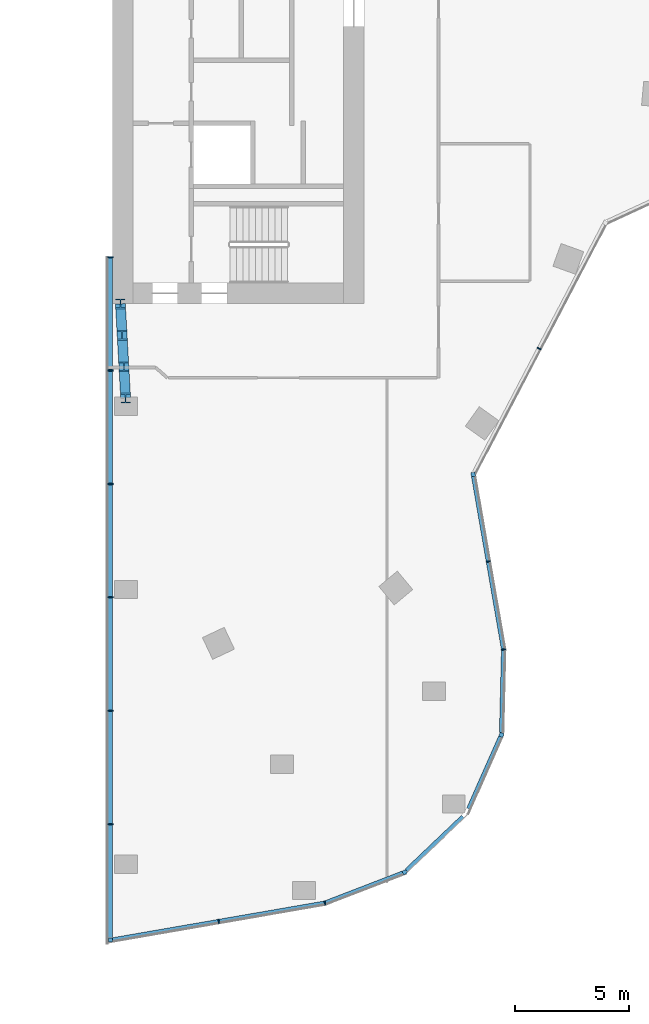
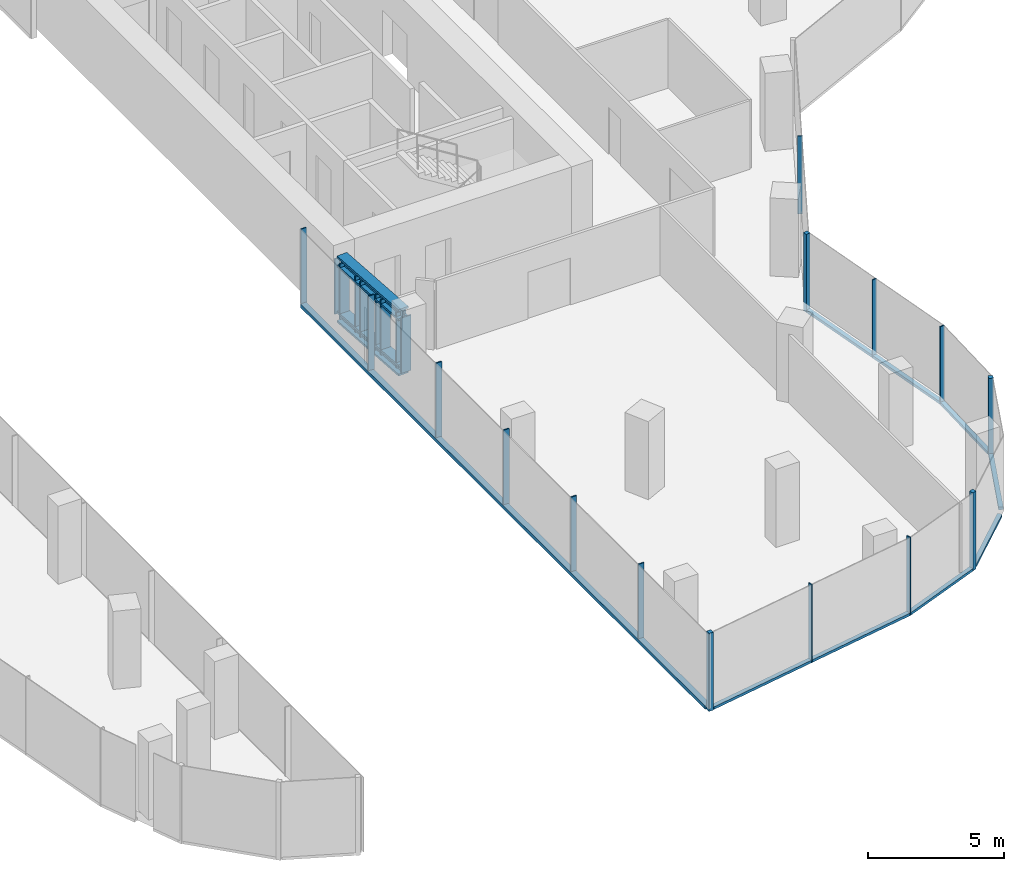
# One storey, part 3 of 23: 28 members, 8 elements without a shape of their own.
"""IFC4 building model written with IfcOpenShell, lengths in metres."""

from ifc_helpers import new_model, si_unit, direction, frame, origin, origin_2d, place, context, subcontext, project, spatial, rectangle, i_section, extrude, material, material_profile, profile_set, type_object, element, aggregate, save


model = new_model("IFC4")

# Units and contexts
model_context = context("Model", 3, precision=1e-05, world=origin(), true_north=direction((0.0, 1.0)))
body_context = subcontext(model_context, "Body", "Model", "MODEL_VIEW")
ifc_project = project(units=[si_unit("LENGTHUNIT", "METRE"), si_unit("AREAUNIT", "SQUARE_METRE"), si_unit("VOLUMEUNIT", "CUBIC_METRE"), si_unit("PLANEANGLEUNIT", "RADIAN"), si_unit("MASSUNIT", "GRAM", prefix="KILO")], contexts=[model_context])

# Site, building, storey
site_placement = place(None, origin())
site = spatial("IfcSite", under=ifc_project, at=site_placement, CompositionType="ELEMENT")
building_placement = place(site_placement, origin())
building = spatial("IfcBuilding", under=site, at=building_placement, Name="Orlundy Tower", CompositionType="ELEMENT")
storey_placement = place(building_placement, frame((0.0, 0.0, 264.0)))
storey = spatial("IfcBuildingStorey", under=building, at=storey_placement, Name="L70", CompositionType="ELEMENT", Elevation=264.0)

# Curtain wall, member
ifc_material_1 = material(Name="Aluminium bronze anodised", Category="aluminium")
curtain_wall_type = type_object("IfcCurtainWallType", Name="CW1 wall", PredefinedType="NOTDEFINED", material=ifc_material_1)
curtain_wall_1_placement = place(storey_placement, origin())
curtain_wall_1 = element("IfcCurtainWall", 1, at=curtain_wall_1_placement, inside=storey, type_object=curtain_wall_type, Name="CW1 run 112", PredefinedType="NOTDEFINED")
ifc_material_2 = material(Name="Aluminium bronze anodised", Category="aluminium")
ifc_material_profile_1 = material_profile(ifc_material_2, rectangle(XDim=0.179931640625, YDim=0.179931640625, at=origin_2d()), Name="CW1 corner post 180x180")
ifc_profile_set_1 = profile_set([ifc_material_profile_1], Name="Aluminium bronze anodised")
member_type_1 = type_object("IfcMemberType", Name="CW1 corner post 180x180", PredefinedType="MULLION", material=ifc_profile_set_1)
member_1_placement = place(storey_placement, frame((23.764892578125, -19.4736328125, -0.39990234375), z_axis=(0.0, 0.0, 1.0), x_axis=(0.985318106887, 0.170728522047, 0.0)))
member_1 = element("IfcMember", 2, at=member_1_placement, type_object=member_type_1, Name="CW1 mullion 18", PredefinedType="MULLION", context=body_context, shape_type="SweptSolid", body=[
    extrude(rectangle(XDim=0.179931640625, YDim=0.179931640625, at=origin_2d()), origin(), (0.0, 0.0, 1.0), 3.5),
])

curtain_wall_2_placement = place(storey_placement, origin())
curtain_wall_2 = element("IfcCurtainWall", 3, at=curtain_wall_2_placement, inside=storey, type_object=curtain_wall_type, Name="CW1 run 114", PredefinedType="NOTDEFINED")
member_2_placement = place(storey_placement, frame((24.99853515625, -30.85400390625, -0.39990234375), z_axis=(0.0, 0.0, 1.0), x_axis=(0.914133830763, -0.405412554633, 0.0)))
member_2 = element("IfcMember", 4, at=member_2_placement, type_object=member_type_1, Name="CW1 mullion 21", PredefinedType="MULLION", context=body_context, shape_type="SweptSolid", body=[
    extrude(rectangle(XDim=0.179931640625, YDim=0.179931640625, at=origin_2d()), origin(), (0.0, 0.0, 1.0), 3.5),
])

curtain_wall_3_placement = place(storey_placement, origin())
curtain_wall_3 = element("IfcCurtainWall", 5, at=curtain_wall_3_placement, inside=storey, type_object=curtain_wall_type, Name="CW1 run 116", PredefinedType="NOTDEFINED")
member_3_placement = place(storey_placement, frame((20.77001953125, -36.85546875, -0.39990234375), z_axis=(0.0, 0.0, 1.0), x_axis=(0.359828461467, -0.933018476944, 0.0)))
member_3 = element("IfcMember", 6, at=member_3_placement, type_object=member_type_1, Name="CW1 mullion 23", PredefinedType="MULLION", context=body_context, shape_type="SweptSolid", body=[
    extrude(rectangle(XDim=0.179931640625, YDim=0.179931640625, at=origin_2d()), origin(), (0.0, 0.0, 1.0), 3.5),
])

curtain_wall_4_placement = place(storey_placement, origin())
curtain_wall_4 = element("IfcCurtainWall", 7, at=curtain_wall_4_placement, inside=storey, type_object=curtain_wall_type, Name="CW1 run 118", PredefinedType="NOTDEFINED")
member_4_placement = place(storey_placement, frame((7.909912109375, -39.823974609375, -0.39990234375), z_axis=(0.0, 0.0, 1.0), x_axis=(-1.0, 0.0, 0.0)))
member_4 = element("IfcMember", 8, at=member_4_placement, type_object=member_type_1, Name="CW1 mullion 26", PredefinedType="MULLION", context=body_context, shape_type="SweptSolid", body=[
    extrude(rectangle(XDim=0.179931640625, YDim=0.179931640625, at=origin_2d()), origin(), (0.0, 0.0, 1.0), 3.5),
])

curtain_wall_5_placement = place(storey_placement, origin())
curtain_wall_5 = element("IfcCurtainWall", 9, at=curtain_wall_5_placement, inside=storey, type_object=curtain_wall_type, Name="CW1 run 111", PredefinedType="NOTDEFINED")
ifc_material_3 = material(Name="Aluminium bronze anodised", Category="aluminium")
ifc_material_profile_2 = material_profile(ifc_material_3, rectangle(XDim=0.179931640625, YDim=0.050048828125, at=origin_2d()), Name="CW1 mullion 50x180")
ifc_profile_set_2 = profile_set([ifc_material_profile_2], Name="Aluminium bronze anodised")
member_type_2 = type_object("IfcMemberType", Name="CW1 mullion 50x180", PredefinedType="MULLION", material=ifc_profile_set_2)
member_5_placement = place(storey_placement, frame((26.649658203125, -13.97119140625, -0.39990234375), z_axis=(0.0, 0.0, 1.0), x_axis=(0.885660617608, -0.464333145939, 0.0)))
member_5 = element("IfcMember", 10, at=member_5_placement, type_object=member_type_2, Name="CW1 mullion 17", PredefinedType="MULLION", context=body_context, shape_type="SweptSolid", body=[
    extrude(rectangle(XDim=0.179931640625, YDim=0.050048828125, at=origin_2d()), origin(), (0.0, 0.0, 1.0), 3.5),
])
aggregate(curtain_wall_5, [member_5])

# Member
member_6_placement = place(storey_placement, frame((24.424072265625, -23.278564453125, -0.39990234375), z_axis=(0.0, 0.0, 1.0), x_axis=(0.985318106887, 0.170728522047, 0.0)))
member_6 = element("IfcMember", 11, at=member_6_placement, type_object=member_type_2, Name="CW1 mullion 19", PredefinedType="MULLION", context=body_context, shape_type="SweptSolid", body=[
    extrude(rectangle(XDim=0.179931640625, YDim=0.050048828125, at=origin_2d()), origin(), (0.0, 0.0, 1.0), 3.5),
])

# Curtain wall, member
curtain_wall_6_placement = place(storey_placement, origin())
curtain_wall_6 = element("IfcCurtainWall", 12, at=curtain_wall_6_placement, inside=storey, type_object=curtain_wall_type, Name="CW1 run 113", PredefinedType="NOTDEFINED")
member_7_placement = place(storey_placement, frame((25.090087890625, -27.122314453125, -0.39990234375), z_axis=(0.0, 0.0, 1.0), x_axis=(0.9972996306, 0.073440089904, 0.0)))
member_7 = element("IfcMember", 13, at=member_7_placement, type_object=member_type_2, Name="CW1 mullion 20", PredefinedType="MULLION", context=body_context, shape_type="SweptSolid", body=[
    extrude(rectangle(XDim=0.179931640625, YDim=0.050048828125, at=origin_2d()), origin(), (0.0, 0.0, 1.0), 3.5),
])

# Curtain wall, members
curtain_wall_7_placement = place(storey_placement, origin())
curtain_wall_7 = element("IfcCurtainWall", 14, at=curtain_wall_7_placement, inside=storey, type_object=curtain_wall_type, Name="CW1 run 117", PredefinedType="NOTDEFINED")
member_8_placement = place(storey_placement, frame((17.2861328125, -38.19921875, -0.39990234375), z_axis=(0.0, 0.0, 1.0), x_axis=(0.266571821277, -0.963815057001, 0.0)))
member_8 = element("IfcMember", 15, at=member_8_placement, type_object=member_type_2, Name="CW1 mullion 24", PredefinedType="MULLION", context=body_context, shape_type="SweptSolid", body=[
    extrude(rectangle(XDim=0.179931640625, YDim=0.050048828125, at=origin_2d()), origin(), (0.0, 0.0, 1.0), 3.5),
])
member_9_placement = place(storey_placement, frame((12.646484375, -39.003173828125, -0.39990234375), z_axis=(0.0, 0.0, 1.0), x_axis=(0.170744034483, -0.985315418883, 0.0)))
member_9 = element("IfcMember", 16, at=member_9_placement, type_object=member_type_2, Name="CW1 mullion 25", PredefinedType="MULLION", context=body_context, shape_type="SweptSolid", body=[
    extrude(rectangle(XDim=0.179931640625, YDim=0.050048828125, at=origin_2d()), origin(), (0.0, 0.0, 1.0), 3.5),
])

# Member
ifc_material_4 = material(Name="Aluminium bronze anodised", Category="aluminium")
ifc_material_profile_3 = material_profile(ifc_material_4, rectangle(XDim=0.179931640625, YDim=0.1201171875, at=origin_2d()), Name="CW1 transom 180x120")
ifc_profile_set_3 = profile_set([ifc_material_profile_3], Name="Aluminium bronze anodised")
member_type_3 = type_object("IfcMemberType", Name="CW1 transom 180x120", PredefinedType="USERDEFINED", material=ifc_profile_set_3)
member_10_placement = place(storey_placement, frame((23.7802734375, -19.5625, -0.340087890625), z_axis=(0.170732175042, -0.985317473917, 0.0), x_axis=(0.985317473917, 0.170732175042, 0.0)))
member_10 = element("IfcMember", 17, at=member_10_placement, type_object=member_type_3, Name="CW1 transom", ObjectType="TRANSOM", PredefinedType="USERDEFINED", context=body_context, shape_type="SweptSolid", body=[
    extrude(rectangle(XDim=0.179931640625, YDim=0.1201171875, at=origin_2d()), origin(), (0.0, 0.0, 1.0), 7.6474609375),
])

aggregate(curtain_wall_1, [member_1, member_6, member_10])

member_11_placement = place(storey_placement, frame((25.089599609375, -27.1474609375, -0.340087890625), z_axis=(-0.024546173371, -0.999698697295, 0.0), x_axis=(0.999698697295, -0.024546173371, 0.0)))
member_11 = element("IfcMember", 18, at=member_11_placement, type_object=member_type_3, Name="CW1 transom", ObjectType="TRANSOM", PredefinedType="USERDEFINED", context=body_context, shape_type="SweptSolid", body=[
    extrude(rectangle(XDim=0.179931640625, YDim=0.1201171875, at=origin_2d()), origin(), (0.0, 0.0, 1.0), 3.6103515625),
])

aggregate(curtain_wall_6, [member_7, member_11])

member_12_placement = place(storey_placement, frame((24.962158203125, -30.936279296875, -0.340087890625), z_axis=(-0.405447673371, -0.914118255018, 0.0), x_axis=(0.914118255018, -0.405447673371, 0.0)))
member_12 = element("IfcMember", 19, at=member_12_placement, type_object=member_type_3, Name="CW1 transom", ObjectType="TRANSOM", PredefinedType="USERDEFINED", context=body_context, shape_type="SweptSolid", body=[
    extrude(rectangle(XDim=0.179931640625, YDim=0.1201171875, at=origin_2d()), origin(), (0.0, 0.0, 1.0), 3.443603515625),
])

aggregate(curtain_wall_2, [member_2, member_12])

# Curtain wall, member
curtain_wall_8_placement = place(storey_placement, origin())
curtain_wall_8 = element("IfcCurtainWall", 20, at=curtain_wall_8_placement, inside=storey, type_object=curtain_wall_type, Name="CW1 run 115", PredefinedType="NOTDEFINED")
member_13_placement = place(storey_placement, frame((23.322265625, -34.427001953125, -0.340087890625), z_axis=(-0.724456491163, -0.689320529516, 0.0), x_axis=(0.689320529516, -0.724456491163, 0.0)))
member_13 = element("IfcMember", 21, at=member_13_placement, type_object=member_type_3, Name="CW1 transom", ObjectType="TRANSOM", PredefinedType="USERDEFINED", context=body_context, shape_type="SweptSolid", body=[
    extrude(rectangle(XDim=0.179931640625, YDim=0.1201171875, at=origin_2d()), origin(), (0.0, 0.0, 1.0), 3.425537109375),
])
aggregate(curtain_wall_8, [member_13])

# Member
member_14_placement = place(storey_placement, frame((20.68603515625, -36.887939453125, -0.340087890625), z_axis=(-0.933011365774, -0.359846899858, 0.0), x_axis=(0.359846899858, -0.933011365774, 0.0)))
member_14 = element("IfcMember", 22, at=member_14_placement, type_object=member_type_3, Name="CW1 transom", ObjectType="TRANSOM", PredefinedType="USERDEFINED", context=body_context, shape_type="SweptSolid", body=[
    extrude(rectangle(XDim=0.179931640625, YDim=0.1201171875, at=origin_2d()), origin(), (0.0, 0.0, 1.0), 3.618896484375),
])

aggregate(curtain_wall_3, [member_3, member_14])

member_15_placement = place(storey_placement, frame((17.261474609375, -38.203369140625, -0.340087890625), z_axis=(-0.985314499235, -0.170749341426, 0.0), x_axis=(0.170749341426, -0.985314499235, 0.0)))
member_15 = element("IfcMember", 23, at=member_15_placement, type_object=member_type_3, Name="CW1 transom", ObjectType="TRANSOM", PredefinedType="USERDEFINED", context=body_context, shape_type="SweptSolid", body=[
    extrude(rectangle(XDim=0.179931640625, YDim=0.1201171875, at=origin_2d()), origin(), (0.0, 0.0, 1.0), 9.3837890625),
])

aggregate(curtain_wall_7, [member_8, member_9, member_15])

ifc_material_5 = material(Name="Aluminium bronze anodised", Category="aluminium")
ifc_material_profile_4 = material_profile(ifc_material_5, rectangle(XDim=0.239990234375, YDim=0.050048828125, at=origin_2d()), Name="CW6 mullion 50x240")
ifc_profile_set_4 = profile_set([ifc_material_profile_4], Name="Aluminium bronze anodised")
member_type_4 = type_object("IfcMemberType", Name="CW6 mullion 50x240", PredefinedType="MULLION", material=ifc_profile_set_4)
member_16_placement = place(storey_placement, frame((7.909912109375, -34.76025390625, -0.39990234375), z_axis=(0.0, 0.0, 1.0), x_axis=(-1.0, 0.0, 0.0)))
member_16 = element("IfcMember", 24, at=member_16_placement, type_object=member_type_4, Name="CW6 mullion 27", PredefinedType="MULLION", context=body_context, shape_type="SweptSolid", body=[
    extrude(rectangle(XDim=0.239990234375, YDim=0.050048828125, at=origin_2d()), origin(), (0.0, 0.0, 1.0), 3.5),
])

member_17_placement = place(storey_placement, frame((7.909912109375, -29.80322265625, -0.39990234375), z_axis=(0.0, 0.0, 1.0), x_axis=(-1.0, 0.0, 0.0)))
member_17 = element("IfcMember", 25, at=member_17_placement, type_object=member_type_4, Name="CW6 mullion 28", PredefinedType="MULLION", context=body_context, shape_type="SweptSolid", body=[
    extrude(rectangle(XDim=0.239990234375, YDim=0.050048828125, at=origin_2d()), origin(), (0.0, 0.0, 1.0), 3.5),
])

member_18_placement = place(storey_placement, frame((7.909912109375, -24.846435546875, -0.39990234375), z_axis=(0.0, 0.0, 1.0), x_axis=(-1.0, 0.0, 0.0)))
member_18 = element("IfcMember", 26, at=member_18_placement, type_object=member_type_4, Name="CW6 mullion 29", PredefinedType="MULLION", context=body_context, shape_type="SweptSolid", body=[
    extrude(rectangle(XDim=0.239990234375, YDim=0.050048828125, at=origin_2d()), origin(), (0.0, 0.0, 1.0), 3.5),
])

member_19_placement = place(storey_placement, frame((7.909912109375, -19.8896484375, -0.39990234375), z_axis=(0.0, 0.0, 1.0), x_axis=(-1.0, 0.0, 0.0)))
member_19 = element("IfcMember", 27, at=member_19_placement, type_object=member_type_4, Name="CW6 mullion 30", PredefinedType="MULLION", context=body_context, shape_type="SweptSolid", body=[
    extrude(rectangle(XDim=0.239990234375, YDim=0.050048828125, at=origin_2d()), origin(), (0.0, 0.0, 1.0), 3.5),
])

member_20_placement = place(storey_placement, frame((7.909912109375, -14.9326171875, -0.39990234375), z_axis=(0.0, 0.0, 1.0), x_axis=(-1.0, 0.0, 0.0)))
member_20 = element("IfcMember", 28, at=member_20_placement, type_object=member_type_4, Name="CW6 mullion 31", PredefinedType="MULLION", context=body_context, shape_type="SweptSolid", body=[
    extrude(rectangle(XDim=0.239990234375, YDim=0.050048828125, at=origin_2d()), origin(), (0.0, 0.0, 1.0), 3.5),
])

member_21_placement = place(storey_placement, frame((7.909912109375, -9.975830078125, -0.39990234375), z_axis=(0.0, 0.0, 1.0), x_axis=(-1.0, 0.0, 0.0)))
member_21 = element("IfcMember", 29, at=member_21_placement, type_object=member_type_4, Name="CW6 mullion 32", PredefinedType="MULLION", context=body_context, shape_type="SweptSolid", body=[
    extrude(rectangle(XDim=0.239990234375, YDim=0.050048828125, at=origin_2d()), origin(), (0.0, 0.0, 1.0), 3.5),
])

ifc_material_6 = material(Name="Aluminium bronze anodised", Category="aluminium")
ifc_material_profile_5 = material_profile(ifc_material_6, rectangle(XDim=0.239990234375, YDim=0.159912109375, at=origin_2d()), Name="CW6 transom 240x160")
ifc_profile_set_5 = profile_set([ifc_material_profile_5], Name="Aluminium bronze anodised")
member_type_5 = type_object("IfcMemberType", Name="CW6 transom 240x160", PredefinedType="USERDEFINED", material=ifc_profile_set_5)
member_22_placement = place(storey_placement, frame((7.8798828125, -39.717041015625, -0.320068359375), z_axis=(0.0, 1.0, 0.0), x_axis=(-1.0, 0.0, 0.0)))
member_22 = element("IfcMember", 30, at=member_22_placement, type_object=member_type_5, Name="CW6 transom", ObjectType="TRANSOM", PredefinedType="USERDEFINED", context=body_context, shape_type="SweptSolid", body=[
    extrude(rectangle(XDim=0.239990234375, YDim=0.159912109375, at=origin_2d()), origin(), (0.0, 0.0, 1.0), 29.716064453125),
])

aggregate(curtain_wall_4, [member_4, member_16, member_17, member_18, member_19, member_20, member_21, member_22])

# Members
ifc_material_7 = material(Name="Steel ASTM A992 Gr 50", Category="steel")
ifc_material_profile_6 = material_profile(ifc_material_7, i_section(OverallWidth=0.43212890625, OverallDepth=0.497802734375, WebThickness=0.0556640625, FlangeThickness=0.0888671875, at=origin_2d()), Name="W14X500")
ifc_profile_set_6 = profile_set([ifc_material_profile_6], Name="Steel ASTM A992 Gr 50")
member_type_6 = type_object("IfcMemberType", Name="PORTAL EDGE TRUSS chord W14X500", PredefinedType="CHORD", material=ifc_profile_set_6)
for number, where, z_axis, x_axis, name in (
    (31, (8.35009765625, -12.02001953125, 0.28466796875), (0.05566660133, -0.998449412588, 0.0), (0.998449412588, 0.05566660133, 0.0), "Portal edge truss bottom chord PE-ES"),
    (32, (8.35009765625, -12.02001953125, 2.765380859375), (0.05566660133, -0.998449412588, 0.0), (0.998449412588, 0.05566660133, 0.0), "Portal edge truss top chord PE-ES"),
):
    element("IfcMember", number, at=place(storey_placement, frame(where, z_axis=z_axis, x_axis=x_axis)), inside=storey, type_object=member_type_6, Name=name, PredefinedType="CHORD", context=body_context, shape_type="SweptSolid", body=[
        extrude(i_section(OverallWidth=0.43212890625, OverallDepth=0.497802734375, WebThickness=0.0556640625, FlangeThickness=0.0888671875, at=origin_2d()), origin(), (0.0, 0.0, 1.0), 4.126953125),
    ])
ifc_material_8 = material(Name="Steel ASTM A992 Gr 50", Category="steel")
ifc_material_profile_7 = material_profile(ifc_material_8, i_section(OverallWidth=0.412109375, OverallDepth=0.434814453125, WebThickness=0.035888671875, FlangeThickness=0.057373046875, at=origin_2d()), Name="W14X311")
ifc_profile_set_7 = profile_set([ifc_material_profile_7], Name="Steel ASTM A992 Gr 50")
member_type_7 = type_object("IfcMemberType", Name="PORTAL EDGE TRUSS post W14X311", PredefinedType="POST", material=ifc_profile_set_7)
for number, where, z_axis, x_axis, name in (
    (33, (8.35009765625, -12.02001953125, 0.28466796875), (0.0, 0.0, 1.0), (1.0, 0.0, 0.0), "Portal edge truss post PE-ES-0"),
    (34, (8.426513671875, -13.3935546875, 0.28466796875), (0.0, 0.0, 1.0), (1.0, 0.0, 0.0), "Portal edge truss post PE-ES-1"),
    (35, (8.50341796875, -14.76708984375, 0.28466796875), (0.0, 0.0, 1.0), (1.0, 0.0, 0.0), "Portal edge truss post PE-ES-2"),
    (36, (8.579833984375, -16.140625, 0.28466796875), (0.0, 0.0, 1.0), (1.0, 0.0, 0.0), "Portal edge truss post PE-ES-3"),
):
    element("IfcMember", number, at=place(storey_placement, frame(where, z_axis=z_axis, x_axis=x_axis)), inside=storey, type_object=member_type_7, Name=name, PredefinedType="POST", context=body_context, shape_type="SweptSolid", body=[
        extrude(i_section(OverallWidth=0.412109375, OverallDepth=0.434814453125, WebThickness=0.035888671875, FlangeThickness=0.057373046875, at=origin_2d()), origin(), (0.0, 0.0, 1.0), 2.480712890625),
    ])

save(model, "model.ifc")
